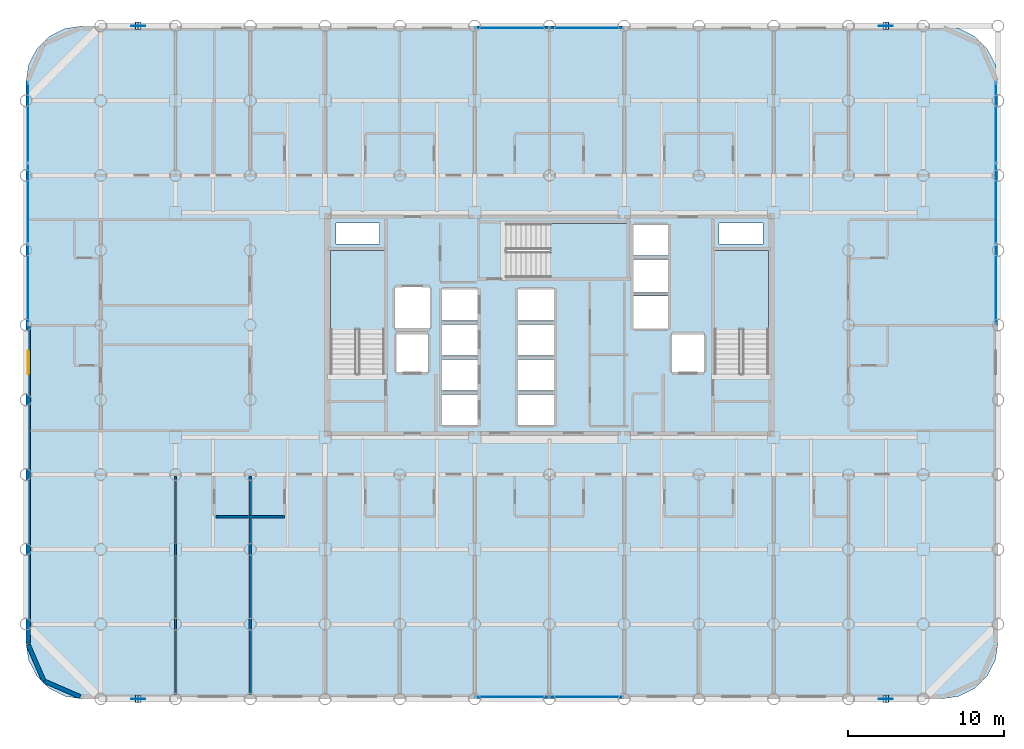
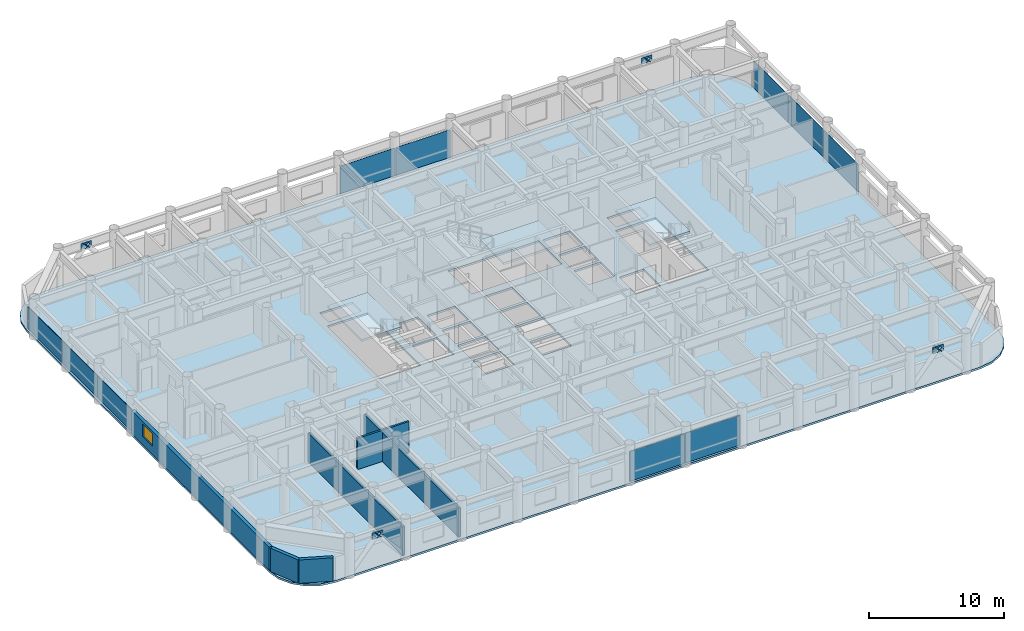
# One storey, part 15 of 22: 22 plates, 6 walls, 4 slabs, 1 window, 1 opening, 7 elements without a shape of their own.
"""IFC4 building model written with IfcOpenShell, lengths in metres."""

from ifc_helpers import new_model, si_unit, direction, frame, frame_2d, origin, origin_2d, place, context, subcontext, project, spatial, polyline, rectangle, outline, extrude, material, layer, layer_set, type_object, element, fill, aggregate, save


model = new_model("IFC4")

# Units and contexts
model_context = context("Model", 3, precision=1e-05, world=origin(), true_north=direction((0.0, 1.0)))
body_context = subcontext(model_context, "Body", "Model", "MODEL_VIEW")
ifc_project = project(units=[si_unit("LENGTHUNIT", "METRE"), si_unit("AREAUNIT", "SQUARE_METRE"), si_unit("VOLUMEUNIT", "CUBIC_METRE"), si_unit("PLANEANGLEUNIT", "RADIAN"), si_unit("MASSUNIT", "GRAM", prefix="KILO")], contexts=[model_context])

# Site, building, storey
site_placement = place(None, origin())
site = spatial("IfcSite", under=ifc_project, at=site_placement, CompositionType="ELEMENT")
building_placement = place(site_placement, origin())
building = spatial("IfcBuilding", under=site, at=building_placement, Name="Kallvorn Hotel Tower", CompositionType="ELEMENT")
storey_placement = place(building_placement, frame((0.0, 0.0, 37.39990234375)))
storey = spatial("IfcBuildingStorey", under=building, at=storey_placement, Name="L07", CompositionType="ELEMENT", Elevation=37.39990234375)

# Curtain wall, plates
ifc_material_1 = material(Name="Thermally broken black-anodised aluminium AA 6063-T6", Category="aluminium")
ifc_layer_1 = layer(ifc_material_1, 0.199951171875)
ifc_layer_set_1 = layer_set([ifc_layer_1], Name="CW_SYS_3_HOTEL_LOW")
curtain_wall_type = type_object("IfcCurtainWallType", Name="CW_SYS_3_HOTEL_LOW", PredefinedType="USERDEFINED", material=ifc_layer_set_1)
curtain_wall_1_placement = place(storey_placement, origin())
curtain_wall_1 = element("IfcCurtainWall", 1, at=curtain_wall_1_placement, inside=storey, type_object=curtain_wall_type, Name="L07 Dark-Glass Curtain Wall CW-L07-SC", ObjectType="UNITISED CURTAIN WALL", PredefinedType="USERDEFINED")
ifc_material_2 = material(Name="Double-glazed low-e solar-control dark glass", Category="glass")
ifc_layer_2 = layer(ifc_material_2, 0.035888671875)
ifc_layer_set_2 = layer_set([ifc_layer_2], Name="CW_SYS_3_HOTEL_LOW_PANEL")
plate_type_1 = type_object("IfcPlateType", Name="CW_SYS_3_HOTEL_LOW_PANEL", PredefinedType="CURTAIN_PANEL", material=ifc_layer_set_2)
plate_1_placement = place(storey_placement, frame((-2.375, -23.8798828125, 0.06005859375), z_axis=(0.0, 0.0, 1.0), x_axis=(1.0, 0.0, 0.0)))
plate_1 = element("IfcPlate", 2, at=plate_1_placement, type_object=plate_type_1, Name="CW-L07-SC Vision Glass Panel 00", PredefinedType="CURTAIN_PANEL", context=body_context, shape_type="SweptSolid", body=[
    extrude(rectangle(XDim=4.68994140625, YDim=0.035888671875, at=origin_2d()), origin(), (0.0, 0.0, 1.0), 2.699951171875),
])
plate_2_placement = place(storey_placement, frame((2.375, -23.8798828125, 0.06005859375), z_axis=(0.0, 0.0, 1.0), x_axis=(1.0, 0.0, 0.0)))
plate_2 = element("IfcPlate", 3, at=plate_2_placement, type_object=plate_type_1, Name="CW-L07-SC Vision Glass Panel 01", PredefinedType="CURTAIN_PANEL", context=body_context, shape_type="SweptSolid", body=[
    extrude(rectangle(XDim=4.68994140625, YDim=0.035888671875, at=origin_2d()), origin(), (0.0, 0.0, 1.0), 2.699951171875),
])
aggregate(curtain_wall_1, [plate_1, plate_2])

curtain_wall_2_placement = place(storey_placement, origin())
curtain_wall_2 = element("IfcCurtainWall", 4, at=curtain_wall_2_placement, inside=storey, type_object=curtain_wall_type, Name="L07 Dark-Glass Curtain Wall CW-L07-NC", ObjectType="UNITISED CURTAIN WALL", PredefinedType="USERDEFINED")
plate_3_placement = place(storey_placement, frame((-2.375, 19.080078125, 0.06005859375), z_axis=(0.0, 0.0, 1.0), x_axis=(1.0, 0.0, 0.0)))
plate_3 = element("IfcPlate", 5, at=plate_3_placement, type_object=plate_type_1, Name="CW-L07-NC Vision Glass Panel 00", PredefinedType="CURTAIN_PANEL", context=body_context, shape_type="SweptSolid", body=[
    extrude(rectangle(XDim=4.68994140625, YDim=0.035888671875, at=origin_2d()), origin(), (0.0, 0.0, 1.0), 2.5),
])
plate_4_placement = place(storey_placement, frame((2.375, 19.080078125, 0.06005859375), z_axis=(0.0, 0.0, 1.0), x_axis=(1.0, 0.0, 0.0)))
plate_4 = element("IfcPlate", 6, at=plate_4_placement, type_object=plate_type_1, Name="CW-L07-NC Vision Glass Panel 01", PredefinedType="CURTAIN_PANEL", context=body_context, shape_type="SweptSolid", body=[
    extrude(rectangle(XDim=4.68994140625, YDim=0.035888671875, at=origin_2d()), origin(), (0.0, 0.0, 1.0), 2.5),
])
aggregate(curtain_wall_2, [plate_3, plate_4])

curtain_wall_3_placement = place(storey_placement, origin())
curtain_wall_3 = element("IfcCurtainWall", 7, at=curtain_wall_3_placement, inside=storey, type_object=curtain_wall_type, Name="L07 Dark-Glass Curtain Wall CW-L07-WN", ObjectType="UNITISED CURTAIN WALL", PredefinedType="USERDEFINED")
plate_5_placement = place(storey_placement, frame((-33.47998046875, 2.61669921875, 0.06005859375), z_axis=(0.0, 0.0, 1.0), x_axis=(0.0, 1.0, 0.0)))
plate_5 = element("IfcPlate", 8, at=plate_5_placement, type_object=plate_type_1, Name="CW-L07-WN Vision Glass Panel 00", PredefinedType="CURTAIN_PANEL", context=body_context, shape_type="SweptSolid", body=[
    extrude(rectangle(XDim=5.13330078125, YDim=0.035888671875, at=origin_2d()), origin(), (0.0, 0.0, 1.0), 2.0),
])
plate_6_placement = place(storey_placement, frame((-33.47998046875, 7.81005859375, 0.06005859375), z_axis=(0.0, 0.0, 1.0), x_axis=(0.0, 1.0, 0.0)))
plate_6 = element("IfcPlate", 9, at=plate_6_placement, type_object=plate_type_1, Name="CW-L07-WN Vision Glass Panel 01", PredefinedType="CURTAIN_PANEL", context=body_context, shape_type="SweptSolid", body=[
    extrude(rectangle(XDim=5.13330078125, YDim=0.035888671875, at=origin_2d()), origin(), (0.0, 0.0, 1.0), 2.0),
])
plate_7_placement = place(storey_placement, frame((-33.47998046875, 13.00341796875, 0.06005859375), z_axis=(0.0, 0.0, 1.0), x_axis=(0.0, 1.0, 0.0)))
plate_7 = element("IfcPlate", 10, at=plate_7_placement, type_object=plate_type_1, Name="CW-L07-WN Vision Glass Panel 02", PredefinedType="CURTAIN_PANEL", context=body_context, shape_type="SweptSolid", body=[
    extrude(rectangle(XDim=5.13330078125, YDim=0.035888671875, at=origin_2d()), origin(), (0.0, 0.0, 1.0), 2.0),
])
aggregate(curtain_wall_3, [plate_5, plate_6, plate_7])

curtain_wall_4_placement = place(storey_placement, origin())
curtain_wall_4 = element("IfcCurtainWall", 11, at=curtain_wall_4_placement, inside=storey, type_object=curtain_wall_type, Name="L07 Dark-Glass Curtain Wall CW-L07-EN", ObjectType="UNITISED CURTAIN WALL", PredefinedType="USERDEFINED")
plate_8_placement = place(storey_placement, frame((28.679931640625, 2.61669921875, 0.06005859375), z_axis=(0.0, 0.0, 1.0), x_axis=(0.0, 1.0, 0.0)))
plate_8 = element("IfcPlate", 12, at=plate_8_placement, type_object=plate_type_1, Name="CW-L07-EN Vision Glass Panel 00", PredefinedType="CURTAIN_PANEL", context=body_context, shape_type="SweptSolid", body=[
    extrude(rectangle(XDim=5.13330078125, YDim=0.035888671875, at=origin_2d()), origin(), (0.0, 0.0, 1.0), 2.5),
])
plate_9_placement = place(storey_placement, frame((28.679931640625, 7.81005859375, 0.06005859375), z_axis=(0.0, 0.0, 1.0), x_axis=(0.0, 1.0, 0.0)))
plate_9 = element("IfcPlate", 13, at=plate_9_placement, type_object=plate_type_1, Name="CW-L07-EN Vision Glass Panel 01", PredefinedType="CURTAIN_PANEL", context=body_context, shape_type="SweptSolid", body=[
    extrude(rectangle(XDim=5.13330078125, YDim=0.035888671875, at=origin_2d()), origin(), (0.0, 0.0, 1.0), 2.5),
])
plate_10_placement = place(storey_placement, frame((28.679931640625, 13.00341796875, 0.06005859375), z_axis=(0.0, 0.0, 1.0), x_axis=(0.0, 1.0, 0.0)))
plate_10 = element("IfcPlate", 14, at=plate_10_placement, type_object=plate_type_1, Name="CW-L07-EN Vision Glass Panel 02", PredefinedType="CURTAIN_PANEL", context=body_context, shape_type="SweptSolid", body=[
    extrude(rectangle(XDim=5.13330078125, YDim=0.035888671875, at=origin_2d()), origin(), (0.0, 0.0, 1.0), 2.5),
])
aggregate(curtain_wall_4, [plate_8, plate_9, plate_10])

# Plates
ifc_material_3 = material(Name="Structural steel S355JR", Category="steel")
ifc_layer_3 = layer(ifc_material_3, 0.030029296875)
ifc_layer_set_3 = layer_set([ifc_layer_3], Name="PLT_CAP_30")
plate_type_2 = type_object("IfcPlateType", Name="PLT_CAP_30", PredefinedType="SHEET", material=ifc_layer_set_3)
for number, where, z_axis, x_axis, name in (
    (15, (-26.20947265625, -24.2431640625, 2.808837890625), (0.653515319717, 0.0, 0.756913288888), (0.0, 1.0, 0.0), "EXO-L07-S1A End Cap Plate B"),
    (16, (-26.590576171875, -23.7568359375, 2.808837890625), (-0.653515319717, 0.0, 0.756913288888), (0.0, -1.0, 0.0), "EXO-L07-S1B End Cap Plate B"),
    (17, (21.79052734375, -24.2431640625, 2.808837890625), (0.653515319717, 0.0, 0.756913288888), (0.0, 1.0, 0.0), "EXO-L07-S2A End Cap Plate B"),
    (18, (21.409423828125, -23.7568359375, 2.808837890625), (-0.653515319717, 0.0, 0.756913288888), (0.0, -1.0, 0.0), "EXO-L07-S2B End Cap Plate B"),
    (19, (-26.20947265625, 18.956787109375, 2.808837890625), (0.653515319717, 0.0, 0.756913288888), (0.0, 1.0, 0.0), "EXO-L07-N1A End Cap Plate B"),
    (20, (-26.590576171875, 19.443115234375, 2.808837890625), (-0.653515319717, 0.0, 0.756913288888), (0.0, -1.0, 0.0), "EXO-L07-N1B End Cap Plate B"),
    (21, (21.79052734375, 18.956787109375, 2.808837890625), (0.653515319717, 0.0, 0.756913288888), (0.0, 1.0, 0.0), "EXO-L07-N2A End Cap Plate B"),
    (22, (21.409423828125, 19.443115234375, 2.808837890625), (-0.653515319717, 0.0, 0.756913288888), (0.0, -1.0, 0.0), "EXO-L07-N2B End Cap Plate B"),
):
    element("IfcPlate", number, at=place(storey_placement, frame(where, z_axis=z_axis, x_axis=x_axis)), inside=storey, type_object=plate_type_2, Name=name, PredefinedType="SHEET", context=body_context, shape_type="SweptSolid", body=[
        extrude(outline(polyline([(0.0, 0.0), (0.486328125, 0.0), (0.486328125, 0.4864019008580509), (0.0, 0.4864019008580509), (0.0, 0.0)])), origin(), (0.0, 0.0, -1.0), 0.030029296875),
    ])
ifc_material_4 = material(Name="Structural steel S355JR", Category="steel")
ifc_layer_4 = layer(ifc_material_4, 0.044921875)
ifc_layer_set_4 = layer_set([ifc_layer_4], Name="PLT_GUSSET_45")
plate_type_3 = type_object("IfcPlateType", Name="PLT_GUSSET_45", PredefinedType="USERDEFINED", material=ifc_layer_set_4)
for number, where, z_axis, x_axis, name in (
    (23, (-26.39990234375, -24.0, 2.64013671875), (0.0, 0.0, 1.0), (1.0, 0.0, 0.0), "L07 Exoskeleton Node Gusset S1"),
    (24, (21.60009765625, -24.0, 2.64013671875), (0.0, 0.0, 1.0), (1.0, 0.0, 0.0), "L07 Exoskeleton Node Gusset S2"),
    (25, (-26.39990234375, 19.199951171875, 2.64013671875), (0.0, 0.0, 1.0), (1.0, 0.0, 0.0), "L07 Exoskeleton Node Gusset N1"),
    (26, (21.60009765625, 19.199951171875, 2.64013671875), (0.0, 0.0, 1.0), (1.0, 0.0, 0.0), "L07 Exoskeleton Node Gusset N2"),
):
    element("IfcPlate", number, at=place(storey_placement, frame(where, z_axis=z_axis, x_axis=x_axis)), inside=storey, type_object=plate_type_3, Name=name, ObjectType="GUSSET PLATE", PredefinedType="USERDEFINED", context=body_context, shape_type="SweptSolid", body=[
        extrude(rectangle(XDim=0.89990234375, YDim=0.044921875, at=origin_2d()), origin(), (0.0, 0.0, 1.0), 0.56005859375),
    ])

# Stair, slab
ifc_material_5 = material(Name="Precast concrete C40/50", Category="concrete")
stair_type = type_object("IfcStairType", Name="STR_CORE_DOGLEG", PredefinedType="HALF_TURN_STAIR", material=ifc_material_5)
stair_1_placement = place(storey_placement, origin())
stair_1 = element("IfcStair", 27, at=stair_1_placement, inside=storey, type_object=stair_type, Name="L07 Exit stair ST1", PredefinedType="HALF_TURN_STAIR")
ifc_material_6 = material(Name="Precast concrete C40/50", Category="concrete")
ifc_layer_5 = layer(ifc_material_6, 0.179931640625)
ifc_layer_set_5 = layer_set([ifc_layer_5], Name="SLB_LANDING_180")
slab_type_1 = type_object("IfcSlabType", Name="SLB_LANDING_180", PredefinedType="LANDING", material=ifc_layer_set_5)
slab_1_placement = place(storey_placement, frame((0.0, 0.0, 1.650146484375)))
slab_1 = element("IfcSlab", 28, at=slab_1_placement, type_object=slab_type_1, Name="ST1 landing 1", PredefinedType="LANDING", context=body_context, shape_type="SweptSolid", body=[
    extrude(outline(polyline([(-10.60009765625, -0.31005859375), (-10.60009765625, 4.800048828125), (-14.06005859375, 4.800048828125), (-14.06005859375, -0.31005859375), (-10.60009765625, -0.31005859375)])), origin(), (0.0, 0.0, 1.0), 0.199951171875),
])
aggregate(stair_1, [slab_1])

stair_2_placement = place(storey_placement, origin())
stair_2 = element("IfcStair", 29, at=stair_2_placement, inside=storey, type_object=stair_type, Name="L07 Exit stair ST2", PredefinedType="HALF_TURN_STAIR")
slab_2_placement = place(storey_placement, frame((0.0, 0.0, 1.650146484375)))
slab_2 = element("IfcSlab", 30, at=slab_2_placement, type_object=slab_type_1, Name="ST2 landing 1", PredefinedType="LANDING", context=body_context, shape_type="SweptSolid", body=[
    extrude(outline(polyline([(14.06005859375, -0.31005859375), (14.06005859375, 4.800048828125), (10.60009765625, 4.800048828125), (10.60009765625, -0.31005859375), (14.06005859375, -0.31005859375)])), origin(), (0.0, 0.0, 1.0), 0.199951171875),
])
aggregate(stair_2, [slab_2])

stair_3_placement = place(storey_placement, origin())
stair_3 = element("IfcStair", 31, at=stair_3_placement, inside=storey, type_object=stair_type, Name="L07 Exit stair ST3", PredefinedType="HALF_TURN_STAIR")
slab_3_placement = place(storey_placement, frame((0.0, 0.0, 1.650146484375)))
slab_3 = element("IfcSlab", 32, at=slab_3_placement, type_object=slab_type_1, Name="ST3 landing 1", PredefinedType="LANDING", context=body_context, shape_type="SweptSolid", body=[
    extrude(outline(polyline([(0.0400390625, 3.050048828125), (5.050048828125, 3.050048828125), (5.050048828125, 6.510009765625), (0.0400390625, 6.510009765625), (0.0400390625, 3.050048828125)])), origin(), (0.0, 0.0, 1.0), 0.199951171875),
])
aggregate(stair_3, [slab_3])

# Slab
ifc_material_7 = material(Name="Concrete C40/50", Category="concrete")
ifc_layer_6 = layer(ifc_material_7, 0.179931640625)
ifc_layer_set_6 = layer_set([ifc_layer_6], Name="SLB_TOWER_180")
slab_type_2 = type_object("IfcSlabType", Name="SLB_TOWER_180", PredefinedType="FLOOR", material=ifc_layer_set_6)
slab_4_placement = place(storey_placement, frame((0.0, 0.0, -0.179931640625)))
element("IfcSlab", 33, at=slab_4_placement, inside=storey, type_object=slab_type_2, Name="L07 Structural Floor Slab", PredefinedType="FLOOR", context=body_context, shape_type="SweptSolid", body=[
    extrude(outline(polyline([(25.199951171875, -24.0), (26.3125, -23.82373046875), (27.31591796875, -23.3125), (28.112548828125, -22.51611328125), (28.623779296875, -21.512451171875), (28.800048828125, -20.39990234375), (28.800048828125, 15.60009765625), (28.623779296875, 16.71240234375), (28.112548828125, 17.716064453125), (27.31591796875, 18.512451171875), (26.3125, 19.023681640625), (25.199951171875, 19.199951171875), (-30.0, 19.199951171875), (-31.112548828125, 19.023681640625), (-32.115966796875, 18.512451171875), (-32.91259765625, 17.716064453125), (-33.423828125, 16.71240234375), (-33.60009765625, 15.60009765625), (-33.60009765625, -20.39990234375), (-33.423828125, -21.512451171875), (-32.91259765625, -22.51611328125), (-32.115966796875, -23.3125), (-31.112548828125, -23.82373046875), (-30.0, -24.0), (25.199951171875, -24.0)]), holes=[polyline([(-10.60009765625, -3.070068359375), (-10.60009765625, 4.800048828125), (-14.06005859375, 4.800048828125), (-14.06005859375, -3.070068359375), (-10.60009765625, -3.070068359375)]), polyline([(14.06005859375, -3.070068359375), (14.06005859375, 4.800048828125), (10.60009765625, 4.800048828125), (10.60009765625, -3.070068359375), (14.06005859375, -3.070068359375)]), polyline([(-2.719970703125, 3.050048828125), (5.050048828125, 3.050048828125), (5.050048828125, 6.510009765625), (-2.719970703125, 6.510009765625), (-2.719970703125, 3.050048828125)]), polyline([(-6.949951171875, -6.449951171875), (-4.550048828125, -6.449951171875), (-4.550048828125, -4.449951171875), (-6.949951171875, -4.449951171875), (-6.949951171875, -6.449951171875)]), polyline([(-6.949951171875, -4.199951171875), (-4.550048828125, -4.199951171875), (-4.550048828125, -2.199951171875), (-6.949951171875, -2.199951171875), (-6.949951171875, -4.199951171875)]), polyline([(-6.949951171875, -1.949951171875), (-4.550048828125, -1.949951171875), (-4.550048828125, 0.050048828125), (-6.949951171875, 0.050048828125), (-6.949951171875, -1.949951171875)]), polyline([(-6.949951171875, 0.300048828125), (-4.550048828125, 0.300048828125), (-4.550048828125, 2.300048828125), (-6.949951171875, 2.300048828125), (-6.949951171875, 0.300048828125)]), polyline([(-2.050048828125, -6.449951171875), (0.35009765625, -6.449951171875), (0.35009765625, -4.449951171875), (-2.050048828125, -4.449951171875), (-2.050048828125, -6.449951171875)]), polyline([(-2.050048828125, -4.199951171875), (0.35009765625, -4.199951171875), (0.35009765625, -2.199951171875), (-2.050048828125, -2.199951171875), (-2.050048828125, -4.199951171875)]), polyline([(-2.050048828125, -1.949951171875), (0.35009765625, -1.949951171875), (0.35009765625, 0.050048828125), (-2.050048828125, 0.050048828125), (-2.050048828125, -1.949951171875)]), polyline([(-2.050048828125, 0.300048828125), (0.35009765625, 0.300048828125), (0.35009765625, 2.300048828125), (-2.050048828125, 2.300048828125), (-2.050048828125, 0.300048828125)]), polyline([(5.35009765625, -0.25), (7.64990234375, -0.25), (7.64990234375, 1.85009765625), (5.35009765625, 1.85009765625), (5.35009765625, -0.25)]), polyline([(5.35009765625, 2.10009765625), (7.64990234375, 2.10009765625), (7.64990234375, 4.199951171875), (5.35009765625, 4.199951171875), (5.35009765625, 2.10009765625)]), polyline([(5.35009765625, 4.449951171875), (7.64990234375, 4.449951171875), (7.64990234375, 6.449951171875), (5.35009765625, 6.449951171875), (5.35009765625, 4.449951171875)]), polyline([(-9.85009765625, -3.050048828125), (-7.75, -3.050048828125), (-7.75, -0.550048828125), (-9.85009765625, -0.550048828125), (-9.85009765625, -3.050048828125)]), polyline([(7.85009765625, -3.050048828125), (9.949951171875, -3.050048828125), (9.949951171875, -0.550048828125), (7.85009765625, -0.550048828125), (7.85009765625, -3.050048828125)]), polyline([(-9.949951171875, -0.25), (-7.64990234375, -0.25), (-7.64990234375, 2.449951171875), (-9.949951171875, 2.449951171875), (-9.949951171875, -0.25)]), polyline([(-13.699951171875, 5.199951171875), (-10.89990234375, 5.199951171875), (-10.89990234375, 6.550048828125), (-13.699951171875, 6.550048828125), (-13.699951171875, 5.199951171875)]), polyline([(10.89990234375, 5.199951171875), (13.699951171875, 5.199951171875), (13.699951171875, 6.550048828125), (10.89990234375, 6.550048828125), (10.89990234375, 5.199951171875)])]), origin(), (0.0, 0.0, 1.0), 0.179931640625),
])

# Walls
ifc_material_8 = material(Name="Fire-rated double-layer acoustic gypsum drywall EI 60")
ifc_layer_7 = layer(ifc_material_8, 0.159912109375)
ifc_layer_set_7 = layer_set([ifc_layer_7], Name="WL_DEMISE_160")
wall_type_1 = type_object("IfcWallType", Name="WL_DEMISE_160", PredefinedType="PARTITIONING", material=ifc_layer_set_7)
wall_1_placement = place(storey_placement, frame((-21.409912109375, -12.320068359375, 0.0), z_axis=(0.0, 0.0, 1.0), x_axis=(1.0, 0.0, 0.0)))
element("IfcWall", 34, at=wall_1_placement, inside=storey, type_object=wall_type_1, Name="L07 Suite 705 Superior Twin Room Partition", PredefinedType="PARTITIONING", context=body_context, shape_type="SweptSolid", body=[
    extrude(rectangle(XDim=4.419921875, YDim=0.159912109375, at=frame_2d((2.2099609375, 0.0))), origin(), (0.0, 0.0, 1.0), 2.820068359375),
])
for number, where, z_axis, x_axis, name in (
    (35, (-24.0, -23.7099609375, 0.0), (0.0, 0.0, 1.0), (0.0, 1.0, 0.0), "L07 Suite 705 Superior Twin Room Partition"),
    (36, (-19.199951171875, -23.7099609375, 0.0), (0.0, 0.0, 1.0), (0.0, 1.0, 0.0), "L07 Suite 705 Superior Twin Room Partition"),
):
    element("IfcWall", number, at=place(storey_placement, frame(where, z_axis=z_axis, x_axis=x_axis)), inside=storey, type_object=wall_type_1, Name=name, PredefinedType="PARTITIONING", context=body_context, shape_type="SweptSolid", body=[
        extrude(rectangle(XDim=13.989990234375, YDim=0.159912109375, at=frame_2d((6.9951171875, 0.0))), origin(), (0.0, 0.0, 1.0), 2.6201171875),
    ])
ifc_material_9 = material(Name="Precast basalt-clad insulated concrete wall C40/50", Category="masonry")
ifc_layer_8 = layer(ifc_material_9, 0.280029296875)
ifc_layer_set_8 = layer_set([ifc_layer_8], Name="WL_EXT_LOGGIA_280")
wall_type_2 = type_object("IfcWallType", Name="WL_EXT_LOGGIA_280", PredefinedType="SOLIDWALL", material=ifc_layer_set_8)
wall_2_placement = place(storey_placement, frame((-33.4580078125, -20.520751953125, 0.0), z_axis=(0.0, 0.0, 1.0), x_axis=(0.398792985289, -0.917040977756, 0.0)))
element("IfcWall", 37, at=wall_2_placement, inside=storey, type_object=wall_type_2, Name="L07 Rounded Corner Exterior Wall SW1", PredefinedType="SOLIDWALL", context=body_context, shape_type="SweptSolid", body=[
    extrude(rectangle(XDim=2.536376953125, YDim=0.280029296875, at=frame_2d((1.26806640625, 0.0))), origin(), (0.0, 0.0, 1.0), 2.1201171875),
])
wall_3_placement = place(storey_placement, frame((-32.446533203125, -22.8466796875, 0.0), z_axis=(0.0, 0.0, 1.0), x_axis=(0.917060872934, -0.398747232384, 0.0)))
element("IfcWall", 38, at=wall_3_placement, inside=storey, type_object=wall_type_2, Name="L07 Rounded Corner Exterior Wall SW2", PredefinedType="SOLIDWALL", context=body_context, shape_type="SweptSolid", body=[
    extrude(rectangle(XDim=2.5361328125, YDim=0.280029296875, at=frame_2d((1.26806640625, 0.0))), origin(), (0.0, 0.0, 1.0), 2.1201171875),
])

# Wall, opening, window
wall_4_placement = place(storey_placement, frame((-33.4599609375, -20.39990234375, 0.0), z_axis=(0.0, 0.0, 1.0), x_axis=(0.0, 1.0, 0.0)))
wall_4 = element("IfcWall", 39, at=wall_4_placement, inside=storey, type_object=wall_type_2, Name="L07 Exterior Envelope Wall EW-L07-WS", PredefinedType="SOLIDWALL", context=body_context, shape_type="SweptSolid", body=[
    extrude(rectangle(XDim=20.3798828125, YDim=0.280029296875, at=frame_2d((10.18994140625, 0.0))), origin(), (0.0, 0.0, 1.0), 2.1201171875),
])
opening_placement = place(wall_4_placement, frame((17.25, 0.0, 0.75)))
opening = element("IfcOpeningElement", 40, at=opening_placement, cuts=wall_4, Name="Opening W05A", PredefinedType="OPENING", context=body_context, shape_type="SweptSolid", body=[
    extrude(rectangle(XDim=1.5, YDim=1.14990234375, at=frame_2d((0.75, 0.574951171875))), frame((0.0, 0.155029296875, 0.0), z_axis=(0.0, -1.0, 0.0), x_axis=(1.0, 0.0, 0.0)), (0.0, 0.0, 1.0), 0.31005859375),
])
ifc_material_10 = material(Name="Double-glazed low-e solar-control dark glass", Category="glass")
window_type = type_object("IfcWindowType", Name="WN_HTL_1500x1150", PartitioningType="SINGLE_PANEL", PredefinedType="WINDOW", material=ifc_material_10)
window_placement = place(opening_placement, origin())
window = element("IfcWindow", 41, at=window_placement, inside=storey, type_object=window_type, Name="L07 Flank Wing Window 01", OverallHeight=1.14990234375, OverallWidth=1.5, PartitioningType="SINGLE_PANEL", PredefinedType="WINDOW", context=body_context, shape_type="SweptSolid", body=[
    extrude(rectangle(XDim=1.5, YDim=1.14990234375, at=frame_2d((0.75, 0.574951171875))), frame((0.0, 0.030029296875, 0.0), z_axis=(0.0, -1.0, 0.0), x_axis=(1.0, 0.0, 0.0)), (0.0, 0.0, 1.0), 0.06005859375),
])
fill(opening, window)

save(model, "model.ifc")
